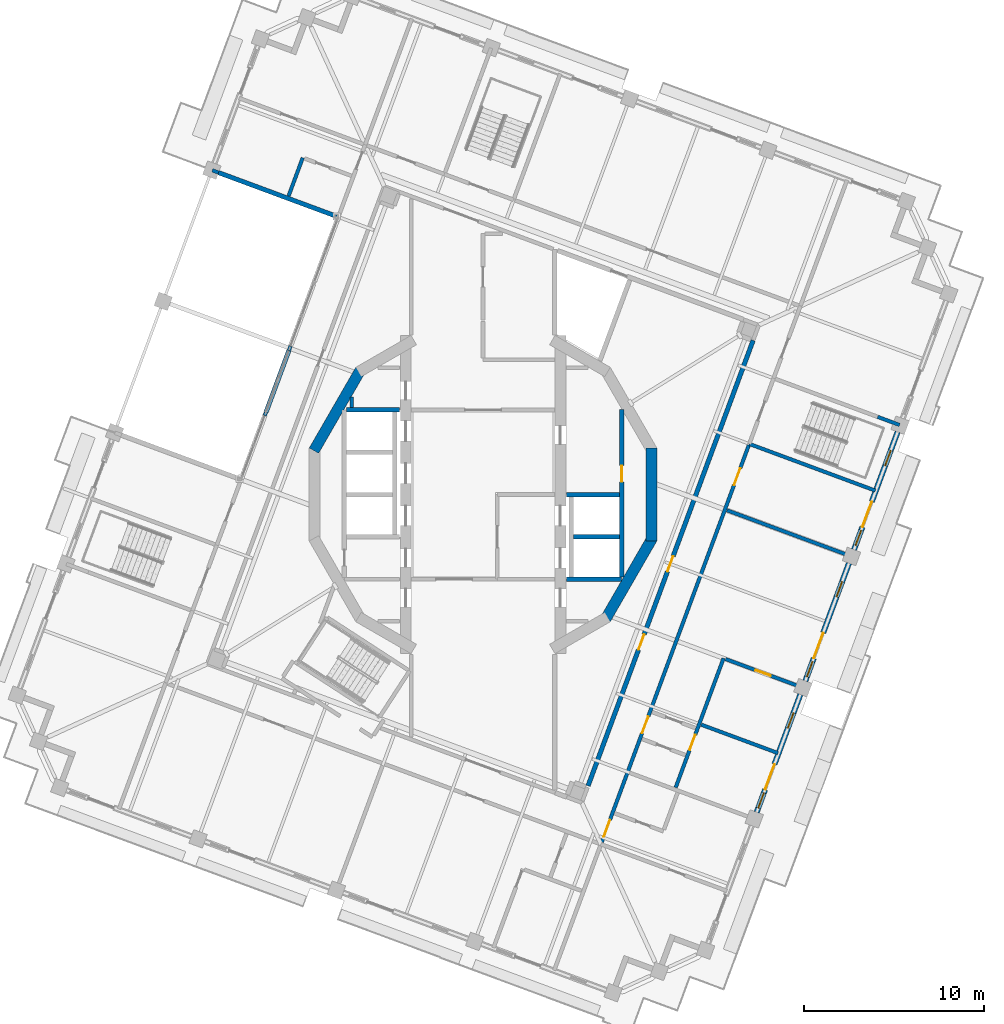
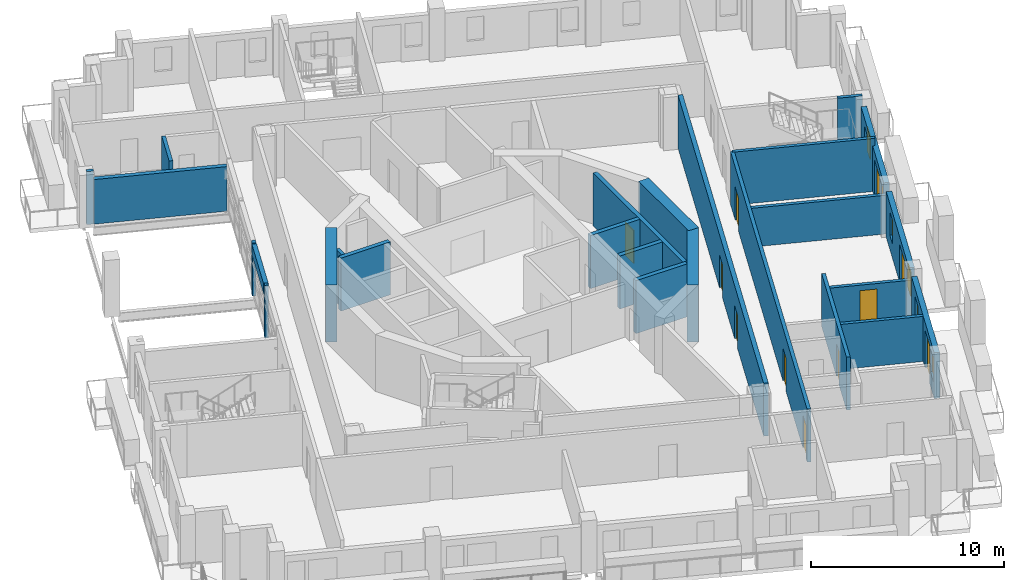
# One storey, part 10 of 20: 26 walls, 11 doors, 6 windows, 17 openings.
"""IFC4 building model written with IfcOpenShell, lengths in metres."""

import ifcopenshell
import ifcopenshell.guid

model = None  # the IFC model being written
_history = None  # IfcOwnerHistory: only IFC2X3 demands one
_inside = {}  # id of a spatial element -> (the spatial element, [elements in it])
_under = {}  # id of a project, library or spatial element -> (it, [spatial elements below it])
_declared = {}  # id of a project -> (the project, [libraries it declares])
_typed = {}  # id of a type object -> (the type object, [elements of that type])
_made_of = {}  # id of a material, layer set ... -> (it, [elements and type objects made of it])


def new_model(schema):
    """Start an empty IFC model of exactly this schema.

    Asked for "IFC4X3", IfcOpenShell would pick the latest addendum, in which some entities
    have other attributes; the version numbers below select the first issue.
    IFC2X3 requires an IfcOwnerHistory on every rooted entity: one is made here for all.
    """
    global model, _history
    if schema == "IFC4X3":
        model = ifcopenshell.file(schema_version=(4, 3, 0, 0))
    else:
        model = ifcopenshell.file(schema=schema)
    _inside.clear()
    _under.clear()
    _declared.clear()
    _typed.clear()
    _made_of.clear()
    _history = None
    if model.schema == "IFC2X3":
        org = make("IfcOrganization", Name="unknown")
        user = make(
            "IfcPersonAndOrganization",
            ThePerson=make("IfcPerson", FamilyName="unknown"),
            TheOrganization=org,
        )
        app = make(
            "IfcApplication",
            ApplicationDeveloper=org,
            Version="unknown",
            ApplicationFullName="unknown",
            ApplicationIdentifier="unknown",
        )
        _history = make(
            "IfcOwnerHistory",
            OwningUser=user,
            OwningApplication=app,
            ChangeAction="ADDED",
            CreationDate=0,
        )
    return model


def make(cls, **values):
    """One entity of the class cls with the attributes given. An attribute that is None is left unset."""
    return model.create_entity(
        cls, **{name: value for name, value in values.items() if value is not None}
    )


def rooted(cls, **values):
    """An entity with a GlobalId (a new one), such as an element, a storey or a relation."""
    return make(cls, GlobalId=ifcopenshell.guid.new(), OwnerHistory=_history, **values)


def si_unit(unit_type, name, prefix=None):
    """IfcSIUnit, for example si_unit("LENGTHUNIT", "METRE", prefix="MILLI")."""
    return make("IfcSIUnit", UnitType=unit_type, Prefix=prefix, Name=name)


def assignment(units):
    """IfcUnitAssignment: the units of a project."""
    return None if units is None else make("IfcUnitAssignment", Units=units)


def point(xyz):
    """IfcCartesianPoint."""
    return None if xyz is None else make("IfcCartesianPoint", Coordinates=xyz)


def direction(xyz):
    """IfcDirection."""
    return None if xyz is None else make("IfcDirection", DirectionRatios=xyz)


def frame(location, z_axis=None, x_axis=None):
    """IfcAxis2Placement3D, a coordinate frame: its origin and axes. An axis left out is left unset."""
    return make(
        "IfcAxis2Placement3D",
        Location=point(location),
        Axis=direction(z_axis),
        RefDirection=direction(x_axis),
    )


def frame_2d(location, x_axis=None):
    """IfcAxis2Placement2D, a coordinate frame in the plane: its origin and x axis."""
    return make(
        "IfcAxis2Placement2D", Location=point(location), RefDirection=direction(x_axis)
    )


def origin():
    """The frame at (0, 0, 0) with its axes left unset."""
    return frame((0.0, 0.0, 0.0))


def place(relative_to, where):
    """IfcLocalPlacement: puts the frame where relative to a parent placement (None: the world)."""
    return make(
        "IfcLocalPlacement", PlacementRelTo=relative_to, RelativePlacement=where
    )


def context(
    kind, dimensions, precision=None, world=None, true_north=None, identifier=None
):
    """IfcGeometricRepresentationContext, for example the 3D "Model" context."""
    return make(
        "IfcGeometricRepresentationContext",
        ContextIdentifier=identifier,
        ContextType=kind,
        CoordinateSpaceDimension=dimensions,
        Precision=precision,
        WorldCoordinateSystem=world,
        TrueNorth=true_north,
    )


def subcontext(parent, identifier, kind, view, scale=None):
    """IfcGeometricRepresentationSubContext, for example "Body" below "Model"."""
    return make(
        "IfcGeometricRepresentationSubContext",
        ContextIdentifier=identifier,
        ContextType=kind,
        ParentContext=parent,
        TargetScale=scale,
        TargetView=view,
    )


def project(units=None, contexts=None):
    """IfcProject with its units and contexts."""
    return rooted(
        "IfcProject",
        Name="project",
        RepresentationContexts=contexts,
        UnitsInContext=assignment(units),
    )


def spatial(cls, under=None, at=None, **own):
    """A site, building, storey or space (cls), placed at a placement, below another one or the project."""
    s = rooted(cls, ObjectPlacement=at, **own)
    if under is not None:
        _under.setdefault(under.id(), (under, []))[1].append(s)
    return s


def profile(cls, at=None, kind="AREA", **sizes):
    """A parametric profile (cls). Its sizes go by their IFC names, for example OverallWidth=200.0."""
    return make(cls, ProfileType=kind, Position=at, **sizes)


def rectangle(**sizes):
    """IfcRectangleProfileDef."""
    return profile("IfcRectangleProfileDef", **sizes)


def extrude(swept, where, along, depth):
    """IfcExtrudedAreaSolid: the profile swept, set in the frame where, extruded along a direction by depth."""
    return make(
        "IfcExtrudedAreaSolid",
        SweptArea=swept,
        Position=where,
        ExtrudedDirection=direction(along),
        Depth=depth,
    )


def shape(context_of_items, identifier, shape_type, items):
    """IfcShapeRepresentation: the items that make up one representation, for example the "Body"."""
    return make(
        "IfcShapeRepresentation",
        ContextOfItems=context_of_items,
        RepresentationIdentifier=identifier,
        RepresentationType=shape_type,
        Items=items,
    )


def material(Name=None, Category=None):
    """IfcMaterial."""
    return make("IfcMaterial", Name=Name, Category=Category)


def layer(
    of_material, thickness, ventilated=None, Name=None, Category=None, Priority=None
):
    """IfcMaterialLayer: one layer of a wall or slab, of a material (None: an air gap)."""
    return make(
        "IfcMaterialLayer",
        Material=of_material,
        LayerThickness=thickness,
        IsVentilated=ventilated,
        Name=Name,
        Category=Category,
        Priority=Priority,
    )


def layer_set(layers, Name=None):
    """IfcMaterialLayerSet."""
    return make("IfcMaterialLayerSet", MaterialLayers=layers, LayerSetName=Name)


def made_of(thing, what):
    """Note that an element or type object is made of a material, layer set ...; save() writes the relation."""
    if what is not None:
        _made_of.setdefault(what.id(), (what, []))[1].append(thing)
    return thing


def type_object(cls, material=None, **own):
    """A type object (cls), such as IfcWallType, which elements share."""
    return made_of(rooted(cls, **own), material)


def element(
    cls,
    number,
    at=None,
    inside=None,
    cuts=None,
    type_object=None,
    material=None,
    context=None,
    identifier="Body",
    shape_type=None,
    held_by="IfcProductDefinitionShape",
    body=None,
    shapes=None,
    **own,
):
    """One element of the class cls, such as IfcWall. Its Tag is "e" and its number.

    at: its placement. inside: the storey or other place that contains it. cuts: it is an
    opening in that element (IfcRelVoidsElement). A single representation is given by context,
    identifier, shape_type and body (its items); several are given by shapes. held_by: the class
    of the entity that holds the representations. save() writes the other relations.
    """
    e = rooted(cls, Tag="e%d" % number, ObjectPlacement=at, **own)
    if body is not None:
        shapes = [shape(context, identifier, shape_type, body)]
    if shapes is not None:
        e.Representation = make(held_by, Representations=shapes)
    if inside is not None:
        _inside.setdefault(inside.id(), (inside, []))[1].append(e)
    if cuts is not None:
        rooted(
            "IfcRelVoidsElement", RelatingBuildingElement=cuts, RelatedOpeningElement=e
        )
    if type_object is not None:
        _typed.setdefault(type_object.id(), (type_object, []))[1].append(e)
    return made_of(e, material)


def fill(opening, filler):
    """IfcRelFillsElement: the door or window that sits in an opening."""
    return rooted(
        "IfcRelFillsElement",
        RelatingOpeningElement=opening,
        RelatedBuildingElement=filler,
    )


def aggregate(whole, parts):
    """IfcRelAggregates: a whole, such as a stair, and the parts it consists of."""
    return rooted("IfcRelAggregates", RelatingObject=whole, RelatedObjects=parts)


def save(model, path):
    """Write the relations noted so far, then the file.

    IfcRelAggregates (storeys below a building ...), IfcRelContainedInSpatialStructure (elements
    in a storey), IfcRelDefinesByType, IfcRelAssociatesMaterial and IfcRelDeclares: one each for
    every whole, place, type object, material and project.
    """
    for whole, parts in _under.values():
        aggregate(whole, parts)
    for where, things in _inside.values():
        rooted(
            "IfcRelContainedInSpatialStructure",
            RelatedElements=things,
            RelatingStructure=where,
        )
    for kind, things in _typed.values():
        rooted("IfcRelDefinesByType", RelatedObjects=things, RelatingType=kind)
    for what, things in _made_of.values():
        rooted("IfcRelAssociatesMaterial", RelatedObjects=things, RelatingMaterial=what)
    for by, libraries in _declared.values():
        rooted("IfcRelDeclares", RelatingContext=by, RelatedDefinitions=libraries)
    model.write(path)


model = new_model("IFC4")

# Units and contexts
model_context = context("Model", 3, precision=1e-05, world=origin(), true_north=direction((0.0, 1.0)))
body_context = subcontext(model_context, "Body", "Model", "MODEL_VIEW")
ifc_project = project(units=[si_unit("LENGTHUNIT", "METRE"), si_unit("AREAUNIT", "SQUARE_METRE"), si_unit("VOLUMEUNIT", "CUBIC_METRE"), si_unit("PLANEANGLEUNIT", "RADIAN"), si_unit("MASSUNIT", "GRAM", prefix="KILO")], contexts=[model_context])

# Site, building, storey
site_placement = place(None, origin())
site = spatial("IfcSite", under=ifc_project, at=site_placement, CompositionType="ELEMENT")
building_placement = place(site_placement, origin())
building = spatial("IfcBuilding", under=site, at=building_placement, Name="Cantera Rosa Tower", CompositionType="ELEMENT")
storey_placement = place(building_placement, frame((0.0, 0.0, 313.300048828125)))
storey = spatial("IfcBuildingStorey", under=building, at=storey_placement, Name="L69", CompositionType="ELEMENT", Elevation=313.300048828125)

# Walls
ifc_material_1 = material(Name="Gypsum board partition")
ifc_layer_1 = layer(ifc_material_1, 0.199951171875)
ifc_layer_set_1 = layer_set([ifc_layer_1], Name="CORRIDOR WALL 200 H3350")
wall_type_1 = type_object("IfcWallType", Name="CORRIDOR WALL 200 H3350", PredefinedType="PARTITIONING", material=ifc_layer_set_1)
wall_1_placement = place(storey_placement, frame((-10.69775390625, 8.256103515625, 0.0), z_axis=(0.0, 0.0, 1.0), x_axis=(-0.347639521276, -0.937628264957, 0.0)))
element("IfcWall", 1, at=wall_1_placement, inside=storey, type_object=wall_type_1, Name="CORRIDOR WALL L69-030", PredefinedType="PARTITIONING", context=body_context, shape_type="SweptSolid", body=[
    extrude(rectangle(XDim=0.26904296875, YDim=0.199951171875, at=frame_2d((0.134521484375, 0.0))), origin(), (0.0, 0.0, 1.0), 3.349853515625),
])
wall_2_placement = place(storey_placement, frame((-12.0625, 4.573486328125, 0.0), z_axis=(0.0, 0.0, 1.0), x_axis=(-0.347396343458, -0.937718390857, 0.0)))
element("IfcWall", 2, at=wall_2_placement, inside=storey, type_object=wall_type_1, Name="CORRIDOR WALL L69-031", PredefinedType="PARTITIONING", context=body_context, shape_type="SweptSolid", body=[
    extrude(rectangle(XDim=0.19384765625, YDim=0.199951171875, at=frame_2d((0.096923828125, 0.0))), origin(), (0.0, 0.0, 1.0), 3.349853515625),
])

# Wall, openings, doors
wall_3_placement = place(storey_placement, frame((6.595458984375, -19.326171875, 0.0), z_axis=(0.0, 0.0, 1.0), x_axis=(0.347482068394, 0.937686627901, 0.0)))
wall_3 = element("IfcWall", 3, at=wall_3_placement, inside=storey, type_object=wall_type_1, Name="CORRIDOR WALL L69-081", PredefinedType="PARTITIONING", context=body_context, shape_type="SweptSolid", body=[
    extrude(rectangle(XDim=23.610107421875, YDim=0.199951171875, at=frame_2d((11.80517578125, 0.0))), origin(), (0.0, 0.0, 1.0), 3.349853515625),
])
opening_1_placement = place(wall_3_placement, frame((6.4599609375, 0.0, 0.0)))
opening_1 = element("IfcOpeningElement", 4, at=opening_1_placement, cuts=wall_3, Name="Opening L69-031", PredefinedType="OPENING", context=body_context, shape_type="SweptSolid", body=[
    extrude(rectangle(XDim=1.0, YDim=2.10009765625, at=frame_2d((0.5, 1.050048828125))), frame((0.0, 0.10986328125, 0.0), z_axis=(0.0, -1.0, 0.0), x_axis=(1.0, 0.0, 0.0)), (0.0, 0.0, 1.0), 0.219970703125),
])
opening_2_placement = place(wall_3_placement, frame((21.1650390625, 0.0, 0.0)))
opening_2 = element("IfcOpeningElement", 5, at=opening_2_placement, cuts=wall_3, Name="Opening L69-036", PredefinedType="OPENING", context=body_context, shape_type="SweptSolid", body=[
    extrude(rectangle(XDim=1.0, YDim=2.10009765625, at=frame_2d((0.5, 1.050048828125))), frame((0.0, 0.10986328125, 0.0), z_axis=(0.0, -1.0, 0.0), x_axis=(1.0, 0.0, 0.0)), (0.0, 0.0, 1.0), 0.219970703125),
])
opening_3_placement = place(wall_3_placement, frame((0.320068359375, 0.0, 0.0)))
opening_3 = element("IfcOpeningElement", 6, at=opening_3_placement, cuts=wall_3, Name="Opening L69-037", PredefinedType="OPENING", context=body_context, shape_type="SweptSolid", body=[
    extrude(rectangle(XDim=1.0, YDim=2.10009765625, at=frame_2d((0.5, 1.050048828125))), frame((0.0, 0.10986328125, 0.0), z_axis=(0.0, -1.0, 0.0), x_axis=(1.0, 0.0, 0.0)), (0.0, 0.0, 1.0), 0.219970703125),
])
ifc_material_2 = material(Name="Timber door leaf", Category="wood")
door_type_1 = type_object("IfcDoorType", Name="ENTRANCE DOOR 1000x2100", OperationType="NOTDEFINED", PredefinedType="DOOR", material=ifc_material_2)
door_1_placement = place(opening_1_placement, origin())
door_1 = element("IfcDoor", 7, at=door_1_placement, inside=storey, type_object=door_type_1, Name="DOOR L69-031", OperationType="NOTDEFINED", OverallHeight=2.10009765625, OverallWidth=1.0, PredefinedType="DOOR", context=body_context, shape_type="SweptSolid", body=[
    extrude(rectangle(XDim=1.0, YDim=2.10009765625, at=frame_2d((0.5, 1.050048828125))), frame((0.0, 0.02490234375, 0.0), z_axis=(0.0, -1.0, 0.0), x_axis=(1.0, 0.0, 0.0)), (0.0, 0.0, 1.0), 0.050048828125),
])
fill(opening_1, door_1)
door_2_placement = place(opening_3_placement, origin())
door_2 = element("IfcDoor", 8, at=door_2_placement, inside=storey, type_object=door_type_1, Name="DOOR L69-037", OperationType="NOTDEFINED", OverallHeight=2.10009765625, OverallWidth=1.0, PredefinedType="DOOR", context=body_context, shape_type="SweptSolid", body=[
    extrude(rectangle(XDim=1.0, YDim=2.10009765625, at=frame_2d((0.5, 1.050048828125))), frame((0.0, 0.02490234375, 0.0), z_axis=(0.0, -1.0, 0.0), x_axis=(1.0, 0.0, 0.0)), (0.0, 0.0, 1.0), 0.050048828125),
])
fill(opening_3, door_2)
ifc_material_3 = material(Name="Timber door leaf", Category="wood")
door_type_2 = type_object("IfcDoorType", Name="ROOM DOOR 1000x2100", OperationType="NOTDEFINED", PredefinedType="DOOR", material=ifc_material_3)
door_3_placement = place(opening_2_placement, origin())
door_3 = element("IfcDoor", 9, at=door_3_placement, inside=storey, type_object=door_type_2, Name="DOOR L69-036", OperationType="NOTDEFINED", OverallHeight=2.10009765625, OverallWidth=1.0, PredefinedType="DOOR", context=body_context, shape_type="SweptSolid", body=[
    extrude(rectangle(XDim=1.0, YDim=2.10009765625, at=frame_2d((0.5, 1.050048828125))), frame((0.0, 0.02490234375, 0.0), z_axis=(0.0, -1.0, 0.0), x_axis=(1.0, 0.0, 0.0)), (0.0, 0.0, 1.0), 0.050048828125),
])
fill(opening_2, door_3)

# Wall, openings, windows, door
ifc_material_4 = material(Name="Hollow clay masonry with cantera stone cladding", Category="masonry")
ifc_layer_2 = layer(ifc_material_4, 0.300048828125)
ifc_layer_set_2 = layer_set([ifc_layer_2], Name="EW-LOGGIA 300 H2890")
wall_type_2 = type_object("IfcWallType", Name="EW-LOGGIA 300 H2890", PredefinedType="SOLIDWALL", material=ifc_layer_set_2)
wall_4_placement = place(storey_placement, frame((15.212646484375, -17.65625, 0.0), z_axis=(0.0, 0.0, 1.0), x_axis=(0.347502316452, 0.937679124253, 0.0)))
wall_4 = element("IfcWall", 10, at=wall_4_placement, inside=storey, type_object=wall_type_2, Name="EN-L69-W21", PredefinedType="SOLIDWALL", context=body_context, shape_type="SweptSolid", body=[
    extrude(rectangle(XDim=6.97998046875, YDim=0.300048828125, at=frame_2d((3.489990234375, 0.0))), origin(), (0.0, 0.0, 1.0), 2.889892578125),
])
opening_4_placement = place(wall_4_placement, frame((0.2451171875, 0.0, 0.89990234375)))
opening_4 = element("IfcOpeningElement", 11, at=opening_4_placement, cuts=wall_4, Name="Opening L69-W37", PredefinedType="OPENING", context=body_context, shape_type="SweptSolid", body=[
    extrude(rectangle(XDim=0.89990234375, YDim=1.5, at=frame_2d((0.449951171875, 0.75))), frame((0.0, 0.159912109375, 0.0), z_axis=(0.0, -1.0, 0.0), x_axis=(1.0, 0.0, 0.0)), (0.0, 0.0, 1.0), 0.320068359375),
])
opening_5_placement = place(wall_4_placement, frame((1.344970703125, 0.0, 0.0)))
opening_5 = element("IfcOpeningElement", 12, at=opening_5_placement, cuts=wall_4, Name="Opening L69-TD38", PredefinedType="OPENING", context=body_context, shape_type="SweptSolid", body=[
    extrude(rectangle(XDim=1.5, YDim=2.39990234375, at=frame_2d((0.75, 1.199951171875))), frame((0.0, 0.159912109375, 0.0), z_axis=(0.0, -1.0, 0.0), x_axis=(1.0, 0.0, 0.0)), (0.0, 0.0, 1.0), 0.320068359375),
])
opening_6_placement = place(wall_4_placement, frame((4.985107421875, 0.0, 0.89990234375)))
opening_6 = element("IfcOpeningElement", 13, at=opening_6_placement, cuts=wall_4, Name="Opening L69-W39", PredefinedType="OPENING", context=body_context, shape_type="SweptSolid", body=[
    extrude(rectangle(XDim=0.89990234375, YDim=1.5, at=frame_2d((0.449951171875, 0.75))), frame((0.0, 0.159912109375, 0.0), z_axis=(0.0, -1.0, 0.0), x_axis=(1.0, 0.0, 0.0)), (0.0, 0.0, 1.0), 0.320068359375),
])
ifc_material_5 = material(Name="Aluminium frame with clear glass", Category="aluminium")
window_type = type_object("IfcWindowType", Name="Residential window 900x1500", PartitioningType="SINGLE_PANEL", PredefinedType="WINDOW", material=ifc_material_5)
window_1_placement = place(opening_4_placement, origin())
window_1 = element("IfcWindow", 14, at=window_1_placement, inside=storey, type_object=window_type, Name="WINDOW L69-W37", OverallHeight=1.5, OverallWidth=0.89990234375, PartitioningType="SINGLE_PANEL", PredefinedType="WINDOW", context=body_context, shape_type="SweptSolid", body=[
    extrude(rectangle(XDim=0.89990234375, YDim=1.5, at=frame_2d((0.449951171875, 0.75))), frame((0.0, 0.030029296875, 0.0), z_axis=(0.0, -1.0, 0.0), x_axis=(1.0, 0.0, 0.0)), (0.0, 0.0, 1.0), 0.06005859375),
])
fill(opening_4, window_1)
window_2_placement = place(opening_6_placement, origin())
window_2 = element("IfcWindow", 15, at=window_2_placement, inside=storey, type_object=window_type, Name="WINDOW L69-W39", OverallHeight=1.5, OverallWidth=0.89990234375, PartitioningType="SINGLE_PANEL", PredefinedType="WINDOW", context=body_context, shape_type="SweptSolid", body=[
    extrude(rectangle(XDim=0.89990234375, YDim=1.5, at=frame_2d((0.449951171875, 0.75))), frame((0.0, 0.030029296875, 0.0), z_axis=(0.0, -1.0, 0.0), x_axis=(1.0, 0.0, 0.0)), (0.0, 0.0, 1.0), 0.06005859375),
])
fill(opening_6, window_2)
ifc_material_6 = material(Name="Aluminium frame with clear glass", Category="aluminium")
door_type_3 = type_object("IfcDoorType", Name="TD-R 1500x2400", OperationType="NOTDEFINED", PredefinedType="DOOR", material=ifc_material_6)
door_4_placement = place(opening_5_placement, origin())
door_4 = element("IfcDoor", 16, at=door_4_placement, inside=storey, type_object=door_type_3, Name="LOGGIA DOOR L69-TD38", OperationType="SLIDING_TO_LEFT", OverallHeight=2.39990234375, OverallWidth=1.5, PredefinedType="DOOR", context=body_context, shape_type="SweptSolid", body=[
    extrude(rectangle(XDim=1.5, YDim=2.39990234375, at=frame_2d((0.75, 1.199951171875))), frame((0.0, 0.02490234375, 0.0), z_axis=(0.0, -1.0, 0.0), x_axis=(1.0, 0.0, 0.0)), (0.0, 0.0, 1.0), 0.050048828125),
])
fill(opening_5, door_4)

wall_5_placement = place(storey_placement, frame((17.916015625, -10.361083984375, 0.0), z_axis=(0.0, 0.0, 1.0), x_axis=(0.347502316452, 0.937679124253, 0.0)))
wall_5 = element("IfcWall", 17, at=wall_5_placement, inside=storey, type_object=wall_type_2, Name="EN-L69-W22", PredefinedType="SOLIDWALL", context=body_context, shape_type="SweptSolid", body=[
    extrude(rectangle(XDim=6.97998046875, YDim=0.300048828125, at=frame_2d((3.489990234375, 0.0))), origin(), (0.0, 0.0, 1.0), 2.889892578125),
])
opening_7_placement = place(wall_5_placement, frame((0.2451171875, 0.0, 0.89990234375)))
opening_7 = element("IfcOpeningElement", 18, at=opening_7_placement, cuts=wall_5, Name="Opening L69-W40", PredefinedType="OPENING", context=body_context, shape_type="SweptSolid", body=[
    extrude(rectangle(XDim=0.89990234375, YDim=1.5, at=frame_2d((0.449951171875, 0.75))), frame((0.0, 0.159912109375, 0.0), z_axis=(0.0, -1.0, 0.0), x_axis=(1.0, 0.0, 0.0)), (0.0, 0.0, 1.0), 0.320068359375),
])
opening_8_placement = place(wall_5_placement, frame((1.344970703125, 0.0, 0.0)))
opening_8 = element("IfcOpeningElement", 19, at=opening_8_placement, cuts=wall_5, Name="Opening L69-TD41", PredefinedType="OPENING", context=body_context, shape_type="SweptSolid", body=[
    extrude(rectangle(XDim=1.5, YDim=2.39990234375, at=frame_2d((0.75, 1.199951171875))), frame((0.0, 0.159912109375, 0.0), z_axis=(0.0, -1.0, 0.0), x_axis=(1.0, 0.0, 0.0)), (0.0, 0.0, 1.0), 0.320068359375),
])
opening_9_placement = place(wall_5_placement, frame((4.985107421875, 0.0, 0.89990234375)))
opening_9 = element("IfcOpeningElement", 20, at=opening_9_placement, cuts=wall_5, Name="Opening L69-W42", PredefinedType="OPENING", context=body_context, shape_type="SweptSolid", body=[
    extrude(rectangle(XDim=0.89990234375, YDim=1.5, at=frame_2d((0.449951171875, 0.75))), frame((0.0, 0.159912109375, 0.0), z_axis=(0.0, -1.0, 0.0), x_axis=(1.0, 0.0, 0.0)), (0.0, 0.0, 1.0), 0.320068359375),
])
window_3_placement = place(opening_7_placement, origin())
window_3 = element("IfcWindow", 21, at=window_3_placement, inside=storey, type_object=window_type, Name="WINDOW L69-W40", OverallHeight=1.5, OverallWidth=0.89990234375, PartitioningType="SINGLE_PANEL", PredefinedType="WINDOW", context=body_context, shape_type="SweptSolid", body=[
    extrude(rectangle(XDim=0.89990234375, YDim=1.5, at=frame_2d((0.449951171875, 0.75))), frame((0.0, 0.030029296875, 0.0), z_axis=(0.0, -1.0, 0.0), x_axis=(1.0, 0.0, 0.0)), (0.0, 0.0, 1.0), 0.06005859375),
])
fill(opening_7, window_3)
window_4_placement = place(opening_9_placement, origin())
window_4 = element("IfcWindow", 22, at=window_4_placement, inside=storey, type_object=window_type, Name="WINDOW L69-W42", OverallHeight=1.5, OverallWidth=0.89990234375, PartitioningType="SINGLE_PANEL", PredefinedType="WINDOW", context=body_context, shape_type="SweptSolid", body=[
    extrude(rectangle(XDim=0.89990234375, YDim=1.5, at=frame_2d((0.449951171875, 0.75))), frame((0.0, 0.030029296875, 0.0), z_axis=(0.0, -1.0, 0.0), x_axis=(1.0, 0.0, 0.0)), (0.0, 0.0, 1.0), 0.06005859375),
])
fill(opening_9, window_4)
door_5_placement = place(opening_8_placement, origin())
door_5 = element("IfcDoor", 23, at=door_5_placement, inside=storey, type_object=door_type_3, Name="LOGGIA DOOR L69-TD41", OperationType="SLIDING_TO_LEFT", OverallHeight=2.39990234375, OverallWidth=1.5, PredefinedType="DOOR", context=body_context, shape_type="SweptSolid", body=[
    extrude(rectangle(XDim=1.5, YDim=2.39990234375, at=frame_2d((0.75, 1.199951171875))), frame((0.0, 0.02490234375, 0.0), z_axis=(0.0, -1.0, 0.0), x_axis=(1.0, 0.0, 0.0)), (0.0, 0.0, 1.0), 0.050048828125),
])
fill(opening_8, door_5)

wall_6_placement = place(storey_placement, frame((20.61962890625, -3.06591796875, 0.0), z_axis=(0.0, 0.0, 1.0), x_axis=(0.347471562124, 0.937690521182, 0.0)))
wall_6 = element("IfcWall", 24, at=wall_6_placement, inside=storey, type_object=wall_type_2, Name="EN-L69-W23", PredefinedType="SOLIDWALL", context=body_context, shape_type="SweptSolid", body=[
    extrude(rectangle(XDim=6.979736328125, YDim=0.300048828125, at=frame_2d((3.48974609375, 0.0))), origin(), (0.0, 0.0, 1.0), 2.889892578125),
])
opening_10_placement = place(wall_6_placement, frame((0.2451171875, 0.0, 0.89990234375)))
opening_10 = element("IfcOpeningElement", 25, at=opening_10_placement, cuts=wall_6, Name="Opening L69-W43", PredefinedType="OPENING", context=body_context, shape_type="SweptSolid", body=[
    extrude(rectangle(XDim=0.89990234375, YDim=1.5, at=frame_2d((0.449951171875, 0.75))), frame((0.0, 0.159912109375, 0.0), z_axis=(0.0, -1.0, 0.0), x_axis=(1.0, 0.0, 0.0)), (0.0, 0.0, 1.0), 0.320068359375),
])
opening_11_placement = place(wall_6_placement, frame((1.344970703125, 0.0, 0.0)))
opening_11 = element("IfcOpeningElement", 26, at=opening_11_placement, cuts=wall_6, Name="Opening L69-TD44", PredefinedType="OPENING", context=body_context, shape_type="SweptSolid", body=[
    extrude(rectangle(XDim=1.5, YDim=2.39990234375, at=frame_2d((0.75, 1.199951171875))), frame((0.0, 0.159912109375, 0.0), z_axis=(0.0, -1.0, 0.0), x_axis=(1.0, 0.0, 0.0)), (0.0, 0.0, 1.0), 0.320068359375),
])
opening_12_placement = place(wall_6_placement, frame((4.985107421875, 0.0, 0.89990234375)))
opening_12 = element("IfcOpeningElement", 27, at=opening_12_placement, cuts=wall_6, Name="Opening L69-W45", PredefinedType="OPENING", context=body_context, shape_type="SweptSolid", body=[
    extrude(rectangle(XDim=0.89990234375, YDim=1.5, at=frame_2d((0.449951171875, 0.75))), frame((0.0, 0.159912109375, 0.0), z_axis=(0.0, -1.0, 0.0), x_axis=(1.0, 0.0, 0.0)), (0.0, 0.0, 1.0), 0.320068359375),
])
window_5_placement = place(opening_10_placement, origin())
window_5 = element("IfcWindow", 28, at=window_5_placement, inside=storey, type_object=window_type, Name="WINDOW L69-W43", OverallHeight=1.5, OverallWidth=0.89990234375, PartitioningType="SINGLE_PANEL", PredefinedType="WINDOW", context=body_context, shape_type="SweptSolid", body=[
    extrude(rectangle(XDim=0.89990234375, YDim=1.5, at=frame_2d((0.449951171875, 0.75))), frame((0.0, 0.030029296875, 0.0), z_axis=(0.0, -1.0, 0.0), x_axis=(1.0, 0.0, 0.0)), (0.0, 0.0, 1.0), 0.06005859375),
])
fill(opening_10, window_5)
window_6_placement = place(opening_12_placement, origin())
window_6 = element("IfcWindow", 29, at=window_6_placement, inside=storey, type_object=window_type, Name="WINDOW L69-W45", OverallHeight=1.5, OverallWidth=0.89990234375, PartitioningType="SINGLE_PANEL", PredefinedType="WINDOW", context=body_context, shape_type="SweptSolid", body=[
    extrude(rectangle(XDim=0.89990234375, YDim=1.5, at=frame_2d((0.449951171875, 0.75))), frame((0.0, 0.030029296875, 0.0), z_axis=(0.0, -1.0, 0.0), x_axis=(1.0, 0.0, 0.0)), (0.0, 0.0, 1.0), 0.06005859375),
])
fill(opening_12, window_6)
door_6_placement = place(opening_11_placement, origin())
door_6 = element("IfcDoor", 30, at=door_6_placement, inside=storey, type_object=door_type_3, Name="LOGGIA DOOR L69-TD44", OperationType="SLIDING_TO_LEFT", OverallHeight=2.39990234375, OverallWidth=1.5, PredefinedType="DOOR", context=body_context, shape_type="SweptSolid", body=[
    extrude(rectangle(XDim=1.5, YDim=2.39990234375, at=frame_2d((0.75, 1.199951171875))), frame((0.0, 0.02490234375, 0.0), z_axis=(0.0, -1.0, 0.0), x_axis=(1.0, 0.0, 0.0)), (0.0, 0.0, 1.0), 0.050048828125),
])
fill(opening_11, door_6)

# Walls
ifc_material_7 = material(Name="Concrete C40/50", Category="concrete")
ifc_layer_3 = layer(ifc_material_7, 0.25)
ifc_layer_set_3 = layer_set([ifc_layer_3], Name="EW-POCKET CHEEK 250 H2820")
wall_type_3 = type_object("IfcWallType", Name="EW-POCKET CHEEK 250 H2820", PredefinedType="SOLIDWALL", material=ifc_layer_set_3)
wall_7_placement = place(storey_placement, frame((-14.69873046875, 17.892333984375, 0.0), z_axis=(0.0, 0.0, 1.0), x_axis=(0.937689427556, -0.34747451338, 0.0)))
element("IfcWall", 31, at=wall_7_placement, inside=storey, type_object=wall_type_3, Name="POCKET CHEEK A L69", PredefinedType="SOLIDWALL", context=body_context, shape_type="SweptSolid", body=[
    extrude(rectangle(XDim=7.000244140625, YDim=0.25, at=frame_2d((3.5, 0.0))), origin(), (0.0, 0.0, 1.0), 2.820068359375),
])
ifc_material_8 = material(Name="Hollow clay masonry with cantera stone cladding", Category="masonry")
ifc_layer_4 = layer(ifc_material_8, 0.25)
ifc_layer_set_4 = layer_set([ifc_layer_4], Name="EW-POCKET REAR 250")
wall_type_4 = type_object("IfcWallType", Name="EW-POCKET REAR 250", PredefinedType="SOLIDWALL", material=ifc_layer_set_4)
wall_8_placement = place(storey_placement, frame((-10.791259765625, 8.00390625, 2.657958984375), z_axis=(0.0, 0.0, 1.0), x_axis=(-0.347486056262, -0.937685150092, 0.0)))
element("IfcWall", 32, at=wall_8_placement, inside=storey, type_object=wall_type_4, Name="POCKET SPANDREL L69-3", PredefinedType="SOLIDWALL", context=body_context, shape_type="SweptSolid", body=[
    extrude(rectangle(XDim=3.658447265625, YDim=0.25, at=frame_2d((1.8291015625, 0.0))), origin(), (0.0, 0.0, 1.0), 0.64208984375),
])

# Wall, opening, door
ifc_material_9 = material(Name="Gypsum board partition")
ifc_layer_5 = layer(ifc_material_9, 0.199951171875)
ifc_layer_set_5 = layer_set([ifc_layer_5], Name="PARTITION 200 H2450")
wall_type_5 = type_object("IfcWallType", Name="PARTITION 200 H2450", PredefinedType="PARTITIONING", material=ifc_layer_set_5)
wall_9_placement = place(storey_placement, frame((13.482421875, -9.144775390625, 0.0), z_axis=(0.0, 0.0, 1.0), x_axis=(0.937689201273, -0.347475124024, 0.0)))
wall_9 = element("IfcWall", 33, at=wall_9_placement, inside=storey, type_object=wall_type_5, Name="PARTITION L69-091", PredefinedType="PARTITIONING", context=body_context, shape_type="SweptSolid", body=[
    extrude(rectangle(XDim=4.550048828125, YDim=0.199951171875, at=frame_2d((2.27490234375, 0.0))), origin(), (0.0, 0.0, 1.0), 2.449951171875),
])
opening_13_placement = place(wall_9_placement, frame((1.780029296875, 0.0, 0.0)))
opening_13 = element("IfcOpeningElement", 34, at=opening_13_placement, cuts=wall_9, Name="Opening L69-035", PredefinedType="OPENING", context=body_context, shape_type="SweptSolid", body=[
    extrude(rectangle(XDim=0.89990234375, YDim=2.10009765625, at=frame_2d((0.449951171875, 1.050048828125))), frame((0.0, 0.10986328125, 0.0), z_axis=(0.0, -1.0, 0.0), x_axis=(1.0, 0.0, 0.0)), (0.0, 0.0, 1.0), 0.219970703125),
])
ifc_material_10 = material(Name="Timber door leaf", Category="wood")
door_type_4 = type_object("IfcDoorType", Name="ROOM DOOR 900x2100", OperationType="NOTDEFINED", PredefinedType="DOOR", material=ifc_material_10)
door_7_placement = place(opening_13_placement, origin())
door_7 = element("IfcDoor", 35, at=door_7_placement, inside=storey, type_object=door_type_4, Name="DOOR L69-035", OperationType="NOTDEFINED", OverallHeight=2.10009765625, OverallWidth=0.89990234375, PredefinedType="DOOR", context=body_context, shape_type="SweptSolid", body=[
    extrude(rectangle(XDim=0.89990234375, YDim=2.10009765625, at=frame_2d((0.449951171875, 1.050048828125))), frame((0.0, 0.02490234375, 0.0), z_axis=(0.0, -1.0, 0.0), x_axis=(1.0, 0.0, 0.0)), (0.0, 0.0, 1.0), 0.050048828125),
])
fill(opening_13, door_7)

# Walls
ifc_material_11 = material(Name="Gypsum board partition")
ifc_layer_6 = layer(ifc_material_11, 0.199951171875)
ifc_layer_set_6 = layer_set([ifc_layer_6], Name="PARTITION 200 H2850")
wall_type_6 = type_object("IfcWallType", Name="PARTITION 200 H2850", PredefinedType="PARTITIONING", material=ifc_layer_set_6)
wall_10_placement = place(storey_placement, frame((12.130859375, -12.79248046875, 0.0), z_axis=(0.0, 0.0, 1.0), x_axis=(0.937700205551, -0.347445426663, 0.0)))
element("IfcWall", 36, at=wall_10_placement, inside=storey, type_object=wall_type_6, Name="PARTITION L69-090", PredefinedType="PARTITIONING", context=body_context, shape_type="SweptSolid", body=[
    extrude(rectangle(XDim=4.5498046875, YDim=0.199951171875, at=frame_2d((2.27490234375, 0.0))), origin(), (0.0, 0.0, 1.0), 2.849853515625),
])
ifc_material_12 = material(Name="Gypsum board partition")
ifc_layer_7 = layer(ifc_material_12, 0.199951171875)
ifc_layer_set_7 = layer_set([ifc_layer_7], Name="PARTITION 200 H3350")
wall_type_7 = type_object("IfcWallType", Name="PARTITION 200 H3350", PredefinedType="PARTITIONING", material=ifc_layer_set_7)
wall_11_placement = place(storey_placement, frame((-10.80712890625, 16.59423828125, 0.0), z_axis=(0.0, 0.0, 1.0), x_axis=(0.347388074377, 0.937721454261, 0.0)))
element("IfcWall", 37, at=wall_11_placement, inside=storey, type_object=wall_type_7, Name="PARTITION L69-013", PredefinedType="PARTITIONING", context=body_context, shape_type="SweptSolid", body=[
    extrude(rectangle(XDim=2.26513671875, YDim=0.199951171875, at=frame_2d((1.132568359375, 0.0))), origin(), (0.0, 0.0, 1.0), 3.349853515625),
])
wall_12_placement = place(storey_placement, frame((-14.698486328125, 17.892333984375, 0.0), z_axis=(0.0, 0.0, 1.0), x_axis=(-0.937677152558, 0.347507636708, 0.0)))
element("IfcWall", 38, at=wall_12_placement, inside=storey, type_object=wall_type_7, Name="PARTITION L69-021", PredefinedType="PARTITIONING", context=body_context, shape_type="SweptSolid", body=[
    extrude(rectangle(XDim=0.370361328125, YDim=0.199951171875, at=frame_2d((0.18505859375, 0.0))), origin(), (0.0, 0.0, 1.0), 3.349853515625),
])
wall_13_placement = place(storey_placement, frame((-7.300048828125, 4.824951171875, 0.0), z_axis=(0.0, 0.0, 1.0), x_axis=(0.0, 1.0, 0.0)))
element("IfcWall", 39, at=wall_13_placement, inside=storey, type_object=wall_type_7, Name="PARTITION L69-027", PredefinedType="PARTITIONING", context=body_context, shape_type="SweptSolid", body=[
    extrude(rectangle(XDim=0.589599609375, YDim=0.199951171875, at=frame_2d((0.294921875, 0.0))), origin(), (0.0, 0.0, 1.0), 3.349853515625),
])

# Wall, opening, door
wall_14_placement = place(storey_placement, frame((10.708251953125, -16.28564453125, 0.0), z_axis=(0.0, 0.0, 1.0), x_axis=(0.347502237007, 0.937679153696, 0.0)))
wall_14 = element("IfcWall", 40, at=wall_14_placement, inside=storey, type_object=wall_type_7, Name="PARTITION L69-088", PredefinedType="PARTITIONING", context=body_context, shape_type="SweptSolid", body=[
    extrude(rectangle(XDim=7.659912109375, YDim=0.199951171875, at=frame_2d((3.830078125, 0.0))), origin(), (0.0, 0.0, 1.0), 3.349853515625),
])
opening_14_placement = place(wall_14_placement, frame((2.22998046875, 0.0, 0.0)))
opening_14 = element("IfcOpeningElement", 41, at=opening_14_placement, cuts=wall_14, Name="Opening L69-034", PredefinedType="OPENING", context=body_context, shape_type="SweptSolid", body=[
    extrude(rectangle(XDim=0.89990234375, YDim=2.10009765625, at=frame_2d((0.449951171875, 1.050048828125))), frame((0.0, 0.10986328125, 0.0), z_axis=(0.0, -1.0, 0.0), x_axis=(1.0, 0.0, 0.0)), (0.0, 0.0, 1.0), 0.219970703125),
])
door_8_placement = place(opening_14_placement, origin())
door_8 = element("IfcDoor", 42, at=door_8_placement, inside=storey, type_object=door_type_4, Name="DOOR L69-034", OperationType="NOTDEFINED", OverallHeight=2.10009765625, OverallWidth=0.89990234375, PredefinedType="DOOR", context=body_context, shape_type="SweptSolid", body=[
    extrude(rectangle(XDim=0.89990234375, YDim=2.10009765625, at=frame_2d((0.449951171875, 1.050048828125))), frame((0.0, 0.02490234375, 0.0), z_axis=(0.0, -1.0, 0.0), x_axis=(1.0, 0.0, 0.0)), (0.0, 0.0, 1.0), 0.050048828125),
])
fill(opening_14, door_8)

# Walls
ifc_material_13 = material(Name="Gypsum board partition")
ifc_layer_8 = layer(ifc_material_13, 0.199951171875)
ifc_layer_set_8 = layer_set([ifc_layer_8], Name="PARTY WALL 200 H2450")
wall_type_8 = type_object("IfcWallType", Name="PARTY WALL 200 H2450", PredefinedType="PARTITIONING", material=ifc_layer_set_8)
wall_15_placement = place(storey_placement, frame((13.560302734375, -0.876708984375, 0.0), z_axis=(0.0, 0.0, 1.0), x_axis=(0.937689847803, -0.347473379308, 0.0)))
element("IfcWall", 43, at=wall_15_placement, inside=storey, type_object=wall_type_8, Name="PARTY WALL L69-092", PredefinedType="PARTITIONING", context=body_context, shape_type="SweptSolid", body=[
    extrude(rectangle(XDim=7.35009765625, YDim=0.199951171875, at=frame_2d((3.675048828125, 0.0))), origin(), (0.0, 0.0, 1.0), 2.449951171875),
])
ifc_material_14 = material(Name="Concrete C50/60", Category="concrete")
ifc_layer_9 = layer(ifc_material_14, 0.60009765625)
ifc_layer_set_9 = layer_set([ifc_layer_9], Name="RC CORE WALL 600 C50/60")
wall_type_9 = type_object("IfcWallType", Name="RC CORE WALL 600 C50/60", PredefinedType="SHEAR", material=ifc_layer_set_9)
for number, where, z_axis, x_axis, name in (
    (44, (-9.3994140625, 2.438232421875, 0.0), (0.0, 0.0, 1.0), (0.499989188378, 0.866031645787, 0.0), "CW-W4 L69"),
    (45, (9.359375, 2.588134765625, 0.0), (0.0, 0.0, 1.0), (0.0, -1.0, 0.0), "CW-E3 L69"),
    (46, (9.3994140625, -2.438232421875, 0.0), (0.0, 0.0, 1.0), (-0.499989188378, -0.866031645787, 0.0), "CW-E4 L69"),
):
    element("IfcWall", number, at=place(storey_placement, frame(where, z_axis=z_axis, x_axis=x_axis)), inside=storey, type_object=wall_type_9, Name=name, PredefinedType="SHEAR", context=body_context, shape_type="SweptSolid", body=[
        extrude(rectangle(XDim=5.17626953125, YDim=0.60009765625, at=frame_2d((2.588134765625, 0.0))), origin(), (0.0, 0.0, 1.0), 3.599853515625),
    ])
ifc_material_15 = material(Name="Masonry blockwork", Category="masonry")
ifc_layer_10 = layer(ifc_material_15, 0.25)
ifc_layer_set_10 = layer_set([ifc_layer_10], Name="SHAFT WALL 250 H3350")
wall_type_10 = type_object("IfcWallType", Name="SHAFT WALL 250 H3350", PredefinedType="SOLIDWALL", material=ifc_layer_set_10)
wall_16_placement = place(storey_placement, frame((-7.580078125, 4.699951171875, 0.0), z_axis=(0.0, 0.0, 1.0), x_axis=(1.0, 0.0, 0.0)))
element("IfcWall", 47, at=wall_16_placement, inside=storey, type_object=wall_type_10, Name="SHAFT WALL L69-026", PredefinedType="SOLIDWALL", context=body_context, shape_type="SweptSolid", body=[
    extrude(rectangle(XDim=2.9501953125, YDim=0.25, at=frame_2d((1.47509765625, 0.0))), origin(), (0.0, 0.0, 1.0), 3.349853515625),
])
wall_17_placement = place(storey_placement, frame((4.6298828125, 0.0, 0.0), z_axis=(0.0, 0.0, 1.0), x_axis=(1.0, 0.0, 0.0)))
element("IfcWall", 48, at=wall_17_placement, inside=storey, type_object=wall_type_10, Name="SHAFT WALL L69-070", PredefinedType="SOLIDWALL", context=body_context, shape_type="SweptSolid", body=[
    extrude(rectangle(XDim=2.945068359375, YDim=0.25, at=frame_2d((1.47265625, 0.0))), origin(), (0.0, 0.0, 1.0), 3.349853515625),
])

# Wall, openings, doors
wall_18_placement = place(storey_placement, frame((5.8388671875, -16.1875, 0.0), z_axis=(0.0, 0.0, 1.0), x_axis=(0.347484524478, 0.937685717737, 0.0)))
wall_18 = element("IfcWall", 49, at=wall_18_placement, inside=storey, type_object=wall_type_10, Name="SHAFT WALL L69-077", PredefinedType="SOLIDWALL", context=body_context, shape_type="SweptSolid", body=[
    extrude(rectangle(XDim=26.39990234375, YDim=0.25, at=frame_2d((13.199951171875, 0.0))), origin(), (0.0, 0.0, 1.0), 3.349853515625),
])
opening_15_placement = place(wall_18_placement, frame((8.0625, 0.0, 0.0)))
opening_15 = element("IfcOpeningElement", 50, at=opening_15_placement, cuts=wall_18, Name="Opening L69-007", PredefinedType="OPENING", context=body_context, shape_type="SweptSolid", body=[
    extrude(rectangle(XDim=0.89990234375, YDim=2.10009765625, at=frame_2d((0.449951171875, 1.050048828125))), frame((0.0, 0.135009765625, 0.0), z_axis=(0.0, -1.0, 0.0), x_axis=(1.0, 0.0, 0.0)), (0.0, 0.0, 1.0), 0.27001953125),
])
opening_16_placement = place(wall_18_placement, frame((12.699951171875, 0.0, 0.0)))
opening_16 = element("IfcOpeningElement", 51, at=opening_16_placement, cuts=wall_18, Name="Opening L69-041", PredefinedType="OPENING", context=body_context, shape_type="SweptSolid", body=[
    extrude(rectangle(XDim=0.89990234375, YDim=2.10009765625, at=frame_2d((0.449951171875, 1.050048828125))), frame((0.0, 0.135009765625, 0.0), z_axis=(0.0, -1.0, 0.0), x_axis=(1.0, 0.0, 0.0)), (0.0, 0.0, 1.0), 0.27001953125),
])
ifc_material_16 = material(Name="Timber door leaf", Category="wood")
door_type_5 = type_object("IfcDoorType", Name="SERVICE DOOR 900x2100", OperationType="NOTDEFINED", PredefinedType="DOOR", material=ifc_material_16)
door_9_placement = place(opening_15_placement, origin())
door_9 = element("IfcDoor", 52, at=door_9_placement, inside=storey, type_object=door_type_5, Name="RISER DOOR L69-007", OperationType="NOTDEFINED", OverallHeight=2.10009765625, OverallWidth=0.89990234375, PredefinedType="DOOR", context=body_context, shape_type="SweptSolid", body=[
    extrude(rectangle(XDim=0.89990234375, YDim=2.10009765625, at=frame_2d((0.449951171875, 1.050048828125))), frame((0.0, 0.02490234375, 0.0), z_axis=(0.0, -1.0, 0.0), x_axis=(1.0, 0.0, 0.0)), (0.0, 0.0, 1.0), 0.050048828125),
])
fill(opening_15, door_9)
door_10_placement = place(opening_16_placement, origin())
door_10 = element("IfcDoor", 53, at=door_10_placement, inside=storey, type_object=door_type_5, Name="RISER DOOR L69-041", OperationType="NOTDEFINED", OverallHeight=2.10009765625, OverallWidth=0.89990234375, PredefinedType="DOOR", context=body_context, shape_type="SweptSolid", body=[
    extrude(rectangle(XDim=0.89990234375, YDim=2.10009765625, at=frame_2d((0.449951171875, 1.050048828125))), frame((0.0, 0.02490234375, 0.0), z_axis=(0.0, -1.0, 0.0), x_axis=(1.0, 0.0, 0.0)), (0.0, 0.0, 1.0), 0.050048828125),
])
fill(opening_16, door_10)

# Wall
wall_19_placement = place(storey_placement, frame((7.699951171875, -4.699951171875, 0.0), z_axis=(0.0, 0.0, 1.0), x_axis=(-1.0, 0.0, 0.0)))
element("IfcWall", 54, at=wall_19_placement, inside=storey, type_object=wall_type_10, Name="SHAFT WALL L69-082", PredefinedType="SOLIDWALL", context=body_context, shape_type="SweptSolid", body=[
    extrude(rectangle(XDim=3.070068359375, YDim=0.25, at=frame_2d((1.53515625, 0.0))), origin(), (0.0, 0.0, 1.0), 3.349853515625),
])

# Wall, opening, door
wall_20_placement = place(storey_placement, frame((7.699951171875, -4.580078125, 0.0), z_axis=(0.0, 0.0, 1.0), x_axis=(0.0, 1.0, 0.0)))
wall_20 = element("IfcWall", 55, at=wall_20_placement, inside=storey, type_object=wall_type_10, Name="SHAFT WALL L69-083", PredefinedType="SOLIDWALL", context=body_context, shape_type="SweptSolid", body=[
    extrude(rectangle(XDim=9.3017578125, YDim=0.25, at=frame_2d((4.65087890625, 0.0))), origin(), (0.0, 0.0, 1.0), 3.349853515625),
])
opening_17_placement = place(wall_20_placement, frame((5.2900390625, 0.0, 0.0)))
opening_17 = element("IfcOpeningElement", 56, at=opening_17_placement, cuts=wall_20, Name="Opening L69-043", PredefinedType="OPENING", context=body_context, shape_type="SweptSolid", body=[
    extrude(rectangle(XDim=0.89990234375, YDim=2.10009765625, at=frame_2d((0.449951171875, 1.050048828125))), frame((0.0, 0.135009765625, 0.0), z_axis=(0.0, -1.0, 0.0), x_axis=(1.0, 0.0, 0.0)), (0.0, 0.0, 1.0), 0.27001953125),
])
door_11_placement = place(opening_17_placement, origin())
door_11 = element("IfcDoor", 57, at=door_11_placement, inside=storey, type_object=door_type_5, Name="RISER DOOR L69-043", OperationType="NOTDEFINED", OverallHeight=2.10009765625, OverallWidth=0.89990234375, PredefinedType="DOOR", context=body_context, shape_type="SweptSolid", body=[
    extrude(rectangle(XDim=0.89990234375, YDim=2.10009765625, at=frame_2d((0.449951171875, 1.050048828125))), frame((0.0, 0.02490234375, 0.0), z_axis=(0.0, -1.0, 0.0), x_axis=(1.0, 0.0, 0.0)), (0.0, 0.0, 1.0), 0.050048828125),
])
fill(opening_17, door_11)

# Walls
wall_21_placement = place(storey_placement, frame((7.574951171875, -2.35009765625, 0.0), z_axis=(0.0, 0.0, 1.0), x_axis=(-1.0, 0.0, 0.0)))
element("IfcWall", 58, at=wall_21_placement, inside=storey, type_object=wall_type_10, Name="SHAFT WALL L69-084", PredefinedType="SOLIDWALL", context=body_context, shape_type="SweptSolid", body=[
    extrude(rectangle(XDim=2.554931640625, YDim=0.25, at=frame_2d((1.27734375, 0.0))), origin(), (0.0, 0.0, 1.0), 3.349853515625),
])
ifc_material_17 = material(Name="Concrete C50/60", Category="concrete")
ifc_layer_11 = layer(ifc_material_17, 0.199951171875)
ifc_layer_set_11 = layer_set([ifc_layer_11], Name="STAIR WALL 200 H3350")
wall_type_11 = type_object("IfcWallType", Name="STAIR WALL 200 H3350", PredefinedType="SOLIDWALL", material=ifc_layer_set_11)
wall_22_placement = place(storey_placement, frame((14.799560546875, 2.812744140625, 0.0), z_axis=(0.0, 0.0, 1.0), x_axis=(0.93768803379, -0.347478274555, 0.0)))
element("IfcWall", 59, at=wall_22_placement, inside=storey, type_object=wall_type_11, Name="STAIR WALL L69-096", PredefinedType="SOLIDWALL", context=body_context, shape_type="SweptSolid", body=[
    extrude(rectangle(XDim=7.47021484375, YDim=0.199951171875, at=frame_2d((3.735107421875, 0.0))), origin(), (0.0, 0.0, 1.0), 3.349853515625),
])
wall_23_placement = place(storey_placement, frame((23.15576171875, 3.864501953125, 0.0), z_axis=(0.0, 0.0, 1.0), x_axis=(-0.937642248704, 0.347601802994, 0.0)))
element("IfcWall", 60, at=wall_23_placement, inside=storey, type_object=wall_type_11, Name="STAIR WALL L69-104", PredefinedType="SOLIDWALL", context=body_context, shape_type="SweptSolid", body=[
    extrude(rectangle(XDim=1.300048828125, YDim=0.199951171875, at=frame_2d((0.64990234375, 0.0))), origin(), (0.0, 0.0, 1.0), 3.349853515625),
])

save(model, "model.ifc")
